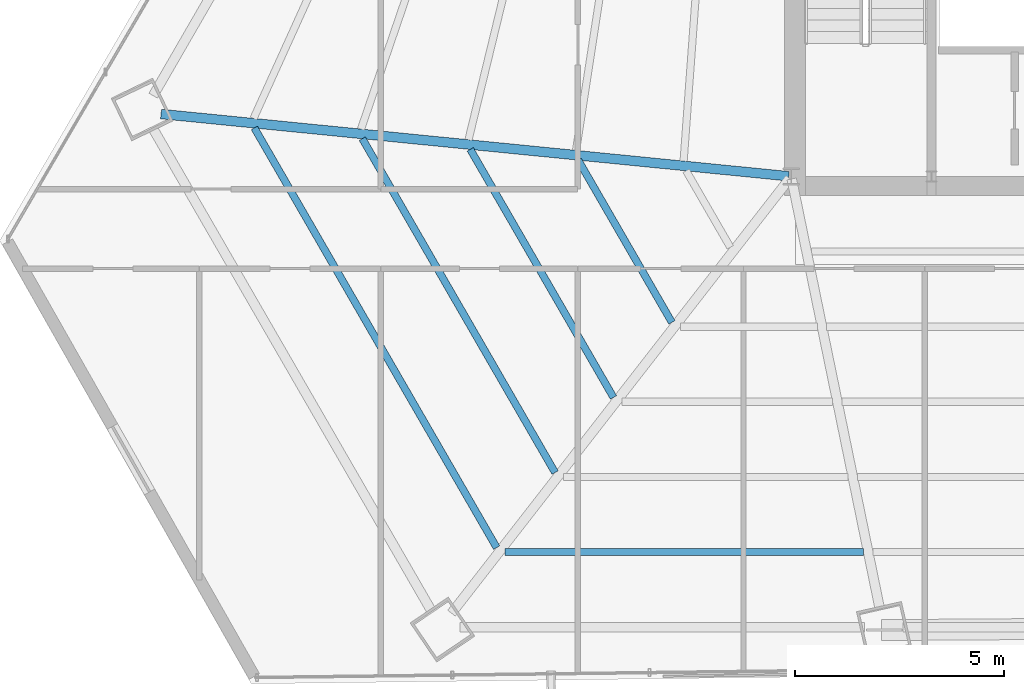
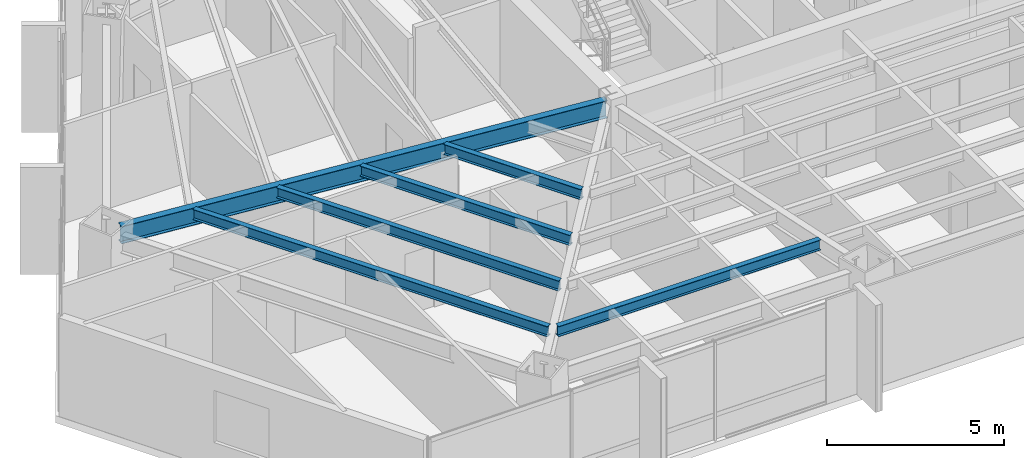
# One storey, part 8 of 37: 6 beams.
"""IFC4 building model written with IfcOpenShell, lengths in metres."""

from ifc_helpers import new_model, si_unit, direction, frame, origin, origin_2d, place, context, subcontext, project, spatial, i_section, extrude, source, transform, mapped, material, material_profile, profile_set, type_object, type_shapes, element, save


model = new_model("IFC4")

# Units and contexts
model_context = context("Model", 3, precision=1e-05, world=origin(), true_north=direction((0.0, 1.0)))
body_context = subcontext(model_context, "Body", "Model", "MODEL_VIEW")
ifc_project = project(units=[si_unit("LENGTHUNIT", "METRE"), si_unit("AREAUNIT", "SQUARE_METRE"), si_unit("VOLUMEUNIT", "CUBIC_METRE"), si_unit("PLANEANGLEUNIT", "RADIAN"), si_unit("MASSUNIT", "GRAM", prefix="KILO")], contexts=[model_context])

# Site, building, storey
site_placement = place(None, origin())
site = spatial("IfcSite", under=ifc_project, at=site_placement, CompositionType="ELEMENT")
building_placement = place(site_placement, origin())
building = spatial("IfcBuilding", under=site, at=building_placement, Name="Caelisora Broadcast Tower", CompositionType="ELEMENT")
storey_placement = place(building_placement, frame((0.0, 0.0, 116.35009765625)))
storey = spatial("IfcBuildingStorey", under=building, at=storey_placement, Name="L30", CompositionType="ELEMENT", Elevation=116.35009765625)

# Beams
ifc_material = material(Name="Steel Grade 350 (AS/NZS 3679.1)", Category="steel")
ifc_material_profile_1 = material_profile(ifc_material, i_section(OverallWidth=0.22802734375, OverallDepth=0.602294921875, WebThickness=0.010498046875, FlangeThickness=0.014892578125, at=origin_2d()), Name="Steel Grade 350 (AS/NZS 3679.1)")
ifc_profile_set_1 = profile_set([ifc_material_profile_1], Name="Steel Grade 350 (AS/NZS 3679.1)")
beam_type_1 = type_object("IfcBeamType", Name="PG04", PredefinedType="BEAM", material=ifc_profile_set_1)
shared_shape_1 = source(origin(), body_context, "Body", "SweptSolid", [
    extrude(i_section(OverallWidth=0.22802734375, OverallDepth=0.602294921875, WebThickness=0.010498046875, FlangeThickness=0.014892578125, at=origin_2d()), origin(), (0.0, 0.0, 1.0), 15.076904296875),
])
type_shapes(beam_type_1, [shared_shape_1])
beam_1_placement = place(storey_placement, frame((30.440185546875, 17.406005859375, 3.098876953125), z_axis=(-0.995119256463, 0.098679609934, 0.0), x_axis=(-0.098679609934, -0.995119256463, 0.0)))
element("IfcBeam", 1, at=beam_1_placement, inside=storey, type_object=beam_type_1, Name="L30 beam PG04", PredefinedType="BEAM", context=body_context, shape_type="MappedRepresentation", body=[
    mapped(shared_shape_1, transform((0.0, 0.0, 0.0), scale=1.0)),
])
ifc_material_profile_2 = material_profile(ifc_material, i_section(OverallWidth=0.172119140625, OverallDepth=0.358642578125, WebThickness=0.008056640625, FlangeThickness=0.012939453125, at=origin_2d()), Name="Steel Grade 350 (AS/NZS 3679.1)")
ifc_profile_set_2 = profile_set([ifc_material_profile_2], Name="Steel Grade 350 (AS/NZS 3679.1)")
beam_type_2 = type_object("IfcBeamType", Name="SB02", PredefinedType="JOIST", material=ifc_profile_set_2)
shared_shape_2 = source(origin(), body_context, "Body", "SweptSolid", [
    extrude(i_section(OverallWidth=0.172119140625, OverallDepth=0.358642578125, WebThickness=0.008056640625, FlangeThickness=0.012939453125, at=origin_2d()), origin(), (0.0, 0.0, 1.0), 4.478759765625),
])
beam_2_placement = place(storey_placement, frame((25.408203125, 17.792724609375, 3.220703125), z_axis=(0.500026012522, -0.866010384927, 0.0), x_axis=(0.866010384927, 0.500026012522, 0.0)))
element("IfcBeam", 2, at=beam_2_placement, inside=storey, type_object=beam_type_2, Name="L30 beam SB02", PredefinedType="JOIST", context=body_context, shape_type="MappedRepresentation", body=[
    mapped(shared_shape_2, transform((0.0, 0.0, 0.0), scale=1.0)),
])
shared_shape_3 = source(origin(), body_context, "Body", "SweptSolid", [
    extrude(i_section(OverallWidth=0.172119140625, OverallDepth=0.358642578125, WebThickness=0.008056640625, FlangeThickness=0.012939453125, at=origin_2d()), origin(), (0.0, 0.0, 1.0), 6.8466796875),
])
beam_3_placement = place(storey_placement, frame((22.828125, 18.048583984375, 3.220703125), z_axis=(0.499997165508, -0.866027040273, 0.0), x_axis=(0.866027040273, 0.499997165508, 0.0)))
element("IfcBeam", 3, at=beam_3_placement, inside=storey, type_object=beam_type_2, Name="L30 beam SB02", PredefinedType="JOIST", context=body_context, shape_type="MappedRepresentation", body=[
    mapped(shared_shape_3, transform((0.0, 0.0, 0.0), scale=1.0)),
])
shared_shape_4 = source(origin(), body_context, "Body", "SweptSolid", [
    extrude(i_section(OverallWidth=0.172119140625, OverallDepth=0.358642578125, WebThickness=0.008056640625, FlangeThickness=0.012939453125, at=origin_2d()), origin(), (0.0, 0.0, 1.0), 9.215087890625),
])
beam_4_placement = place(storey_placement, frame((20.247802734375, 18.3046875, 3.220703125), z_axis=(0.500011413361, -0.866018814177, 0.0), x_axis=(0.866018814177, 0.500011413361, 0.0)))
element("IfcBeam", 4, at=beam_4_placement, inside=storey, type_object=beam_type_2, Name="L30 beam SB02", PredefinedType="JOIST", context=body_context, shape_type="MappedRepresentation", body=[
    mapped(shared_shape_4, transform((0.0, 0.0, 0.0), scale=1.0)),
])
shared_shape_5 = source(origin(), body_context, "Body", "SweptSolid", [
    extrude(i_section(OverallWidth=0.172119140625, OverallDepth=0.358642578125, WebThickness=0.008056640625, FlangeThickness=0.012939453125, at=origin_2d()), origin(), (0.0, 0.0, 1.0), 11.582763671875),
])
beam_5_placement = place(storey_placement, frame((17.667724609375, 18.560302734375, 3.220703125), z_axis=(0.50000647333, -0.866021666373, 0.0), x_axis=(0.866021666373, 0.50000647333, 0.0)))
element("IfcBeam", 5, at=beam_5_placement, inside=storey, type_object=beam_type_2, Name="L30 beam SB02", PredefinedType="JOIST", context=body_context, shape_type="MappedRepresentation", body=[
    mapped(shared_shape_5, transform((0.0, 0.0, 0.0), scale=1.0)),
])
shared_shape_6 = source(origin(), body_context, "Body", "SweptSolid", [
    extrude(i_section(OverallWidth=0.172119140625, OverallDepth=0.358642578125, WebThickness=0.008056640625, FlangeThickness=0.012939453125, at=origin_2d()), origin(), (0.0, 0.0, 1.0), 8.565673828125),
])
type_shapes(beam_type_2, [shared_shape_2, shared_shape_3, shared_shape_4, shared_shape_5, shared_shape_6])
beam_6_placement = place(storey_placement, frame((23.66064453125, 8.42529296875, 3.220703125), z_axis=(1.0, 0.0, 0.0), x_axis=(0.0, 1.0, 0.0)))
element("IfcBeam", 6, at=beam_6_placement, inside=storey, type_object=beam_type_2, Name="L30 beam SB02", PredefinedType="JOIST", context=body_context, shape_type="MappedRepresentation", body=[
    mapped(shared_shape_6, transform((0.0, 0.0, 0.0), scale=1.0)),
])

save(model, "model.ifc")
